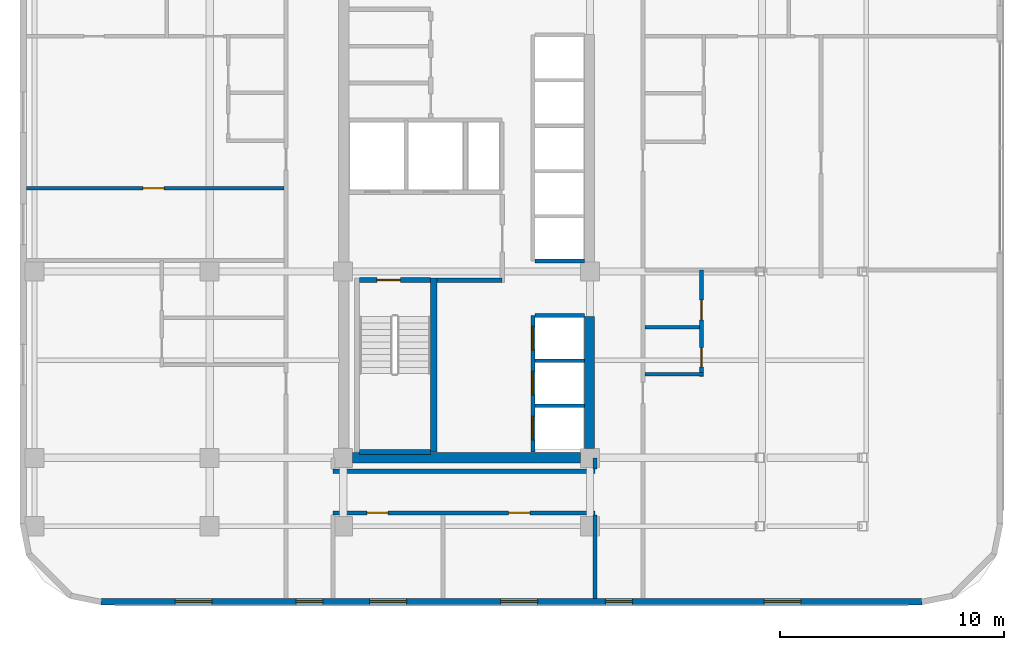
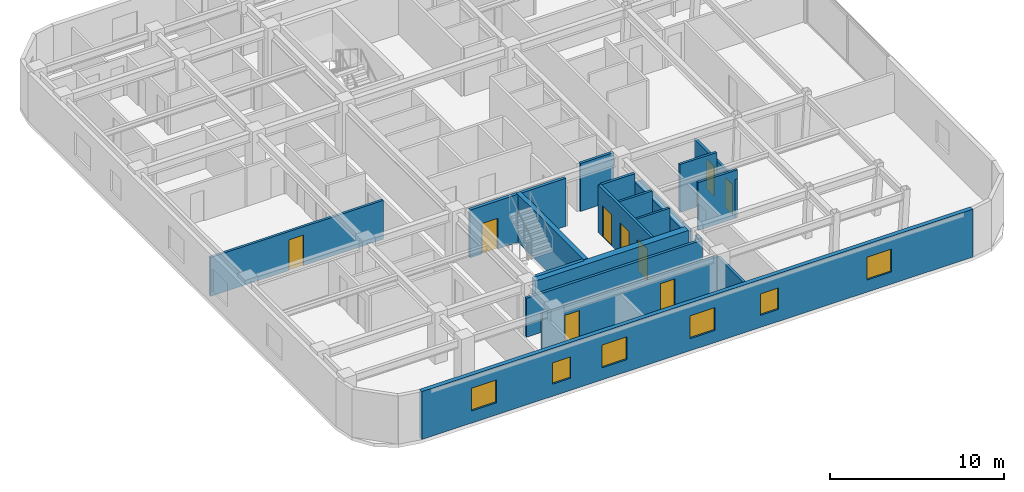
# One storey, part 4 of 12: 20 walls, 9 doors, 6 windows, 15 openings.
"""IFC4 building model written with IfcOpenShell, lengths in metres."""

from ifc_helpers import new_model, si_unit, direction, frame, frame_2d, origin, place, context, subcontext, project, spatial, rectangle, extrude, material, layer, layer_set, type_object, element, fill, save


model = new_model("IFC4")

# Units and contexts
model_context = context("Model", 3, precision=1e-05, world=origin(), true_north=direction((0.0, 1.0)))
body_context = subcontext(model_context, "Body", "Model", "MODEL_VIEW")
ifc_project = project(units=[si_unit("LENGTHUNIT", "METRE"), si_unit("AREAUNIT", "SQUARE_METRE"), si_unit("VOLUMEUNIT", "CUBIC_METRE"), si_unit("PLANEANGLEUNIT", "RADIAN"), si_unit("MASSUNIT", "GRAM", prefix="KILO")], contexts=[model_context])

# Site, building, storey
site_placement = place(None, origin())
site = spatial("IfcSite", under=ifc_project, at=site_placement, CompositionType="ELEMENT")
building_placement = place(site_placement, origin())
building = spatial("IfcBuilding", under=site, at=building_placement, Name="Ochreholt Gables", CompositionType="ELEMENT")
storey_placement = place(building_placement, frame((0.0, 0.0, 80.39990234375)))
storey = spatial("IfcBuildingStorey", under=building, at=storey_placement, Name="L20", CompositionType="ELEMENT", Elevation=80.39990234375)

# Walls
ifc_material_1 = material(Name="Concrete 60 MPa", Category="concrete")
ifc_layer_1 = layer(ifc_material_1, 0.449951171875, Name="Concrete 60 MPa")
ifc_layer_set_1 = layer_set([ifc_layer_1], Name="Concrete 60 MPa")
wall_type_1 = type_object("IfcWallType", Name="WALL-CSW-450", PredefinedType="SHEAR", material=ifc_layer_set_1)
wall_1_placement = place(storey_placement, frame((35.175048828125, 9.675048828125, 0.0), z_axis=(0.0, 0.0, 1.0), x_axis=(0.0, 1.0, 0.0)))
element("IfcWall", 1, at=wall_1_placement, inside=storey, type_object=wall_type_1, Name="L20 Core South-East Shear Wall", PredefinedType="SHEAR", context=body_context, shape_type="SweptSolid", body=[
    extrude(rectangle(XDim=5.875, YDim=0.449951171875, at=frame_2d((2.9375, 0.0))), origin(), (0.0, 0.0, 1.0), 2.7490234375),
])
wall_2_placement = place(storey_placement, frame((24.625, 9.25, 0.0), z_axis=(0.0, 0.0, 1.0), x_axis=(1.0, 0.0, 0.0)))
element("IfcWall", 2, at=wall_2_placement, inside=storey, type_object=wall_type_1, Name="L20 Core South Shear Wall", PredefinedType="SHEAR", context=body_context, shape_type="SweptSolid", body=[
    extrude(rectangle(XDim=10.14990234375, YDim=0.449951171875, at=frame_2d((5.074951171875, 0.0))), origin(), (0.0, 0.0, 1.0), 3.360107421875),
])

# Wall, openings, windows
ifc_material_2 = material(Name="Precast concrete 40 MPa", Category="concrete")
ifc_layer_2 = layer(ifc_material_2, 0.280029296875, Name="Precast concrete 40 MPa")
ifc_layer_set_2 = layer_set([ifc_layer_2], Name="Precast concrete 40 MPa")
wall_type_2 = type_object("IfcWallType", Name="WALL-EXT-280", PredefinedType="SOLIDWALL", material=ifc_layer_set_2)
wall_3_placement = place(storey_placement, frame((13.419921875, 2.840087890625, 0.0), z_axis=(0.0, 0.0, 1.0), x_axis=(1.0, 0.0, 0.0)))
wall_3 = element("IfcWall", 3, at=wall_3_placement, inside=storey, type_object=wall_type_2, Name="L20 South Exterior Wall", PredefinedType="SOLIDWALL", context=body_context, shape_type="SweptSolid", body=[
    extrude(rectangle(XDim=36.56005859375, YDim=0.280029296875, at=frame_2d((18.280029296875, 0.0))), origin(), (0.0, 0.0, 1.0), 3.360107421875),
])
opening_1_placement = place(wall_3_placement, frame((3.2900390625, 0.0, 0.85009765625)))
opening_1 = element("IfcOpeningElement", 4, at=opening_1_placement, cuts=wall_3, Name="Opening WN-7", PredefinedType="OPENING", context=body_context, shape_type="SweptSolid", body=[
    extrude(rectangle(XDim=1.64990234375, YDim=1.60009765625, at=frame_2d((0.824951171875, 0.800048828125))), frame((0.0, 0.14990234375, 0.0), z_axis=(0.0, -1.0, 0.0), x_axis=(1.0, 0.0, 0.0)), (0.0, 0.0, 1.0), 0.300048828125),
])
opening_2_placement = place(wall_3_placement, frame((8.679931640625, 0.0, 0.85009765625)))
opening_2 = element("IfcOpeningElement", 5, at=opening_2_placement, cuts=wall_3, Name="Opening WN-3", PredefinedType="OPENING", context=body_context, shape_type="SweptSolid", body=[
    extrude(rectangle(XDim=1.199951171875, YDim=1.5, at=frame_2d((0.60009765625, 0.75))), frame((0.0, 0.14990234375, 0.0), z_axis=(0.0, -1.0, 0.0), x_axis=(1.0, 0.0, 0.0)), (0.0, 0.0, 1.0), 0.300048828125),
])
opening_3_placement = place(wall_3_placement, frame((11.955810546875, 0.0, 0.85009765625)))
opening_3 = element("IfcOpeningElement", 6, at=opening_3_placement, cuts=wall_3, Name="Opening WN-7", PredefinedType="OPENING", context=body_context, shape_type="SweptSolid", body=[
    extrude(rectangle(XDim=1.64990234375, YDim=1.60009765625, at=frame_2d((0.824951171875, 0.800048828125))), frame((0.0, 0.14990234375, 0.0), z_axis=(0.0, -1.0, 0.0), x_axis=(1.0, 0.0, 0.0)), (0.0, 0.0, 1.0), 0.300048828125),
])
opening_4_placement = place(wall_3_placement, frame((17.790771484375, 0.0, 0.85009765625)))
opening_4 = element("IfcOpeningElement", 7, at=opening_4_placement, cuts=wall_3, Name="Opening WN-7", PredefinedType="OPENING", context=body_context, shape_type="SweptSolid", body=[
    extrude(rectangle(XDim=1.64990234375, YDim=1.60009765625, at=frame_2d((0.824951171875, 0.800048828125))), frame((0.0, 0.14990234375, 0.0), z_axis=(0.0, -1.0, 0.0), x_axis=(1.0, 0.0, 0.0)), (0.0, 0.0, 1.0), 0.300048828125),
])
opening_5_placement = place(wall_3_placement, frame((22.465087890625, 0.0, 0.85009765625)))
opening_5 = element("IfcOpeningElement", 8, at=opening_5_placement, cuts=wall_3, Name="Opening WN-3", PredefinedType="OPENING", context=body_context, shape_type="SweptSolid", body=[
    extrude(rectangle(XDim=1.199951171875, YDim=1.5, at=frame_2d((0.60009765625, 0.75))), frame((0.0, 0.14990234375, 0.0), z_axis=(0.0, -1.0, 0.0), x_axis=(1.0, 0.0, 0.0)), (0.0, 0.0, 1.0), 0.300048828125),
])
opening_6_placement = place(wall_3_placement, frame((29.52001953125, 0.0, 0.85009765625)))
opening_6 = element("IfcOpeningElement", 9, at=opening_6_placement, cuts=wall_3, Name="Opening WN-7", PredefinedType="OPENING", context=body_context, shape_type="SweptSolid", body=[
    extrude(rectangle(XDim=1.64990234375, YDim=1.60009765625, at=frame_2d((0.824951171875, 0.800048828125))), frame((0.0, 0.14990234375, 0.0), z_axis=(0.0, -1.0, 0.0), x_axis=(1.0, 0.0, 0.0)), (0.0, 0.0, 1.0), 0.300048828125),
])
ifc_material_3 = material(Name="Triple-Glazed Thermally Broken Aluminium Window", Category="aluminium")
window_type_1 = type_object("IfcWindowType", Name="WIN-RES-1200", PartitioningType="SINGLE_PANEL", PredefinedType="WINDOW", material=ifc_material_3)
window_1_placement = place(opening_2_placement, origin())
window_1 = element("IfcWindow", 10, at=window_1_placement, inside=storey, type_object=window_type_1, Name="L20 Window W-EXT-S-L20-2", OverallHeight=1.5, OverallWidth=1.199951171875, PartitioningType="SINGLE_PANEL", PredefinedType="WINDOW", context=body_context, shape_type="SweptSolid", body=[
    extrude(rectangle(XDim=1.199951171875, YDim=1.5, at=frame_2d((0.60009765625, 0.75))), frame((0.0, 0.030029296875, 0.0), z_axis=(0.0, -1.0, 0.0), x_axis=(1.0, 0.0, 0.0)), (0.0, 0.0, 1.0), 0.06005859375),
])
fill(opening_2, window_1)
window_2_placement = place(opening_5_placement, origin())
window_2 = element("IfcWindow", 11, at=window_2_placement, inside=storey, type_object=window_type_1, Name="L20 Window W-EXT-S-L20-5", OverallHeight=1.5, OverallWidth=1.199951171875, PartitioningType="SINGLE_PANEL", PredefinedType="WINDOW", context=body_context, shape_type="SweptSolid", body=[
    extrude(rectangle(XDim=1.199951171875, YDim=1.5, at=frame_2d((0.60009765625, 0.75))), frame((0.0, 0.030029296875, 0.0), z_axis=(0.0, -1.0, 0.0), x_axis=(1.0, 0.0, 0.0)), (0.0, 0.0, 1.0), 0.06005859375),
])
fill(opening_5, window_2)
window_type_2 = type_object("IfcWindowType", Name="WIN-RES-1650", PartitioningType="SINGLE_PANEL", PredefinedType="WINDOW", material=ifc_material_3)
window_3_placement = place(opening_1_placement, origin())
window_3 = element("IfcWindow", 12, at=window_3_placement, inside=storey, type_object=window_type_2, Name="L20 Window W-EXT-S-L20-1", OverallHeight=1.60009765625, OverallWidth=1.64990234375, PartitioningType="SINGLE_PANEL", PredefinedType="WINDOW", context=body_context, shape_type="SweptSolid", body=[
    extrude(rectangle(XDim=1.64990234375, YDim=1.60009765625, at=frame_2d((0.824951171875, 0.800048828125))), frame((0.0, 0.030029296875, 0.0), z_axis=(0.0, -1.0, 0.0), x_axis=(1.0, 0.0, 0.0)), (0.0, 0.0, 1.0), 0.06005859375),
])
fill(opening_1, window_3)
window_4_placement = place(opening_3_placement, origin())
window_4 = element("IfcWindow", 13, at=window_4_placement, inside=storey, type_object=window_type_2, Name="L20 Window W-EXT-S-L20-3", OverallHeight=1.60009765625, OverallWidth=1.64990234375, PartitioningType="SINGLE_PANEL", PredefinedType="WINDOW", context=body_context, shape_type="SweptSolid", body=[
    extrude(rectangle(XDim=1.64990234375, YDim=1.60009765625, at=frame_2d((0.824951171875, 0.800048828125))), frame((0.0, 0.030029296875, 0.0), z_axis=(0.0, -1.0, 0.0), x_axis=(1.0, 0.0, 0.0)), (0.0, 0.0, 1.0), 0.06005859375),
])
fill(opening_3, window_4)
window_5_placement = place(opening_4_placement, origin())
window_5 = element("IfcWindow", 14, at=window_5_placement, inside=storey, type_object=window_type_2, Name="L20 Window W-EXT-S-L20-4", OverallHeight=1.60009765625, OverallWidth=1.64990234375, PartitioningType="SINGLE_PANEL", PredefinedType="WINDOW", context=body_context, shape_type="SweptSolid", body=[
    extrude(rectangle(XDim=1.64990234375, YDim=1.60009765625, at=frame_2d((0.824951171875, 0.800048828125))), frame((0.0, 0.030029296875, 0.0), z_axis=(0.0, -1.0, 0.0), x_axis=(1.0, 0.0, 0.0)), (0.0, 0.0, 1.0), 0.06005859375),
])
fill(opening_4, window_5)
window_6_placement = place(opening_6_placement, origin())
window_6 = element("IfcWindow", 15, at=window_6_placement, inside=storey, type_object=window_type_2, Name="L20 Window W-EXT-S-L20-6", OverallHeight=1.60009765625, OverallWidth=1.64990234375, PartitioningType="SINGLE_PANEL", PredefinedType="WINDOW", context=body_context, shape_type="SweptSolid", body=[
    extrude(rectangle(XDim=1.64990234375, YDim=1.60009765625, at=frame_2d((0.824951171875, 0.800048828125))), frame((0.0, 0.030029296875, 0.0), z_axis=(0.0, -1.0, 0.0), x_axis=(1.0, 0.0, 0.0)), (0.0, 0.0, 1.0), 0.06005859375),
])
fill(opening_6, window_6)

# Wall
ifc_material_4 = material(Name="Concrete 40 MPa", Category="concrete")
ifc_layer_3 = layer(ifc_material_4, 0.199951171875, Name="Concrete 40 MPa")
ifc_layer_set_3 = layer_set([ifc_layer_3], Name="Concrete 40 MPa")
wall_type_3 = type_object("IfcWallType", Name="WALL-INT-CF200", PredefinedType="STANDARD", material=ifc_layer_set_3)
wall_4_placement = place(storey_placement, frame((28.3798828125, 17.169921875, 0.0), z_axis=(0.0, 0.0, 1.0), x_axis=(1.0, 0.0, 0.0)))
element("IfcWall", 16, at=wall_4_placement, inside=storey, type_object=wall_type_3, Name="L20 Interior Wall WI-FFS-L20", PredefinedType="STANDARD", context=body_context, shape_type="SweptSolid", body=[
    extrude(rectangle(XDim=2.900146484375, YDim=0.199951171875, at=frame_2d((1.4501953125, 0.0))), origin(), (0.0, 0.0, 1.0), 3.360107421875),
])

# Wall, openings, doors
ifc_material_5 = material(Name="Fire-Rated Gypsum Acoustic Partition", Category="gypsum")
ifc_layer_4 = layer(ifc_material_5, 0.179931640625, Name="Fire-Rated Gypsum Acoustic Partition")
ifc_layer_set_4 = layer_set([ifc_layer_4], Name="Fire-Rated Gypsum Acoustic Partition")
wall_type_4 = type_object("IfcWallType", Name="WALL-INT-CR180", PredefinedType="STANDARD", material=ifc_layer_set_4)
wall_5_placement = place(storey_placement, frame((23.75, 6.800048828125, 0.0), z_axis=(0.0, 0.0, 1.0), x_axis=(1.0, 0.0, 0.0)))
wall_5 = element("IfcWall", 17, at=wall_5_placement, inside=storey, type_object=wall_type_4, Name="L20 Interior Wall WI-C1S-L20", PredefinedType="STANDARD", context=body_context, shape_type="SweptSolid", body=[
    extrude(rectangle(XDim=11.669921875, YDim=0.179931640625, at=frame_2d((5.8349609375, 0.0))), origin(), (0.0, 0.0, 1.0), 2.731201171875),
])
opening_7_placement = place(wall_5_placement, frame((1.5, 0.0, 0.0)))
opening_7 = element("IfcOpeningElement", 18, at=opening_7_placement, cuts=wall_5, Name="Opening D-GN1", PredefinedType="OPENING", context=body_context, shape_type="SweptSolid", body=[
    extrude(rectangle(XDim=0.949951171875, YDim=2.14990234375, at=frame_2d((0.47509765625, 1.074951171875))), frame((0.0, 0.099853515625, 0.0), z_axis=(0.0, -1.0, 0.0), x_axis=(1.0, 0.0, 0.0)), (0.0, 0.0, 1.0), 0.199951171875),
])
opening_8_placement = place(wall_5_placement, frame((7.82568359375, 0.0, 0.0)))
opening_8 = element("IfcOpeningElement", 19, at=opening_8_placement, cuts=wall_5, Name="Opening D-UN2", PredefinedType="OPENING", context=body_context, shape_type="SweptSolid", body=[
    extrude(rectangle(XDim=0.93994140625, YDim=2.14990234375, at=frame_2d((0.469970703125, 1.074951171875))), frame((0.0, 0.099853515625, 0.0), z_axis=(0.0, -1.0, 0.0), x_axis=(1.0, 0.0, 0.0)), (0.0, 0.0, 1.0), 0.199951171875),
])
ifc_material_6 = material(Name="Engineered Oak Timber", Category="wood")
door_type_1 = type_object("IfcDoorType", Name="DR-INT-GEN950", OperationType="NOTDEFINED", PredefinedType="DOOR", material=ifc_material_6)
door_1_placement = place(opening_7_placement, origin())
door_1 = element("IfcDoor", 20, at=door_1_placement, inside=storey, type_object=door_type_1, Name="L20 Door D-C1SS-L20", OperationType="SINGLE_SWING_LEFT", OverallHeight=2.14990234375, OverallWidth=0.949951171875, PredefinedType="DOOR", context=body_context, shape_type="SweptSolid", body=[
    extrude(rectangle(XDim=0.949951171875, YDim=2.14990234375, at=frame_2d((0.47509765625, 1.074951171875))), frame((0.0, 0.02490234375, 0.0), z_axis=(0.0, -1.0, 0.0), x_axis=(1.0, 0.0, 0.0)), (0.0, 0.0, 1.0), 0.050048828125),
])
fill(opening_7, door_1)
door_type_2 = type_object("IfcDoorType", Name="DR-INT-UNT940", OperationType="NOTDEFINED", PredefinedType="DOOR", material=ifc_material_6)
door_2_placement = place(opening_8_placement, origin())
door_2 = element("IfcDoor", 21, at=door_2_placement, inside=storey, type_object=door_type_2, Name="L20 Door D-U-L20S1-ENT", OperationType="SINGLE_SWING_LEFT", OverallHeight=2.14990234375, OverallWidth=0.93994140625, PredefinedType="DOOR", context=body_context, shape_type="SweptSolid", body=[
    extrude(rectangle(XDim=0.93994140625, YDim=2.14990234375, at=frame_2d((0.469970703125, 1.074951171875))), frame((0.0, 0.02490234375, 0.0), z_axis=(0.0, -1.0, 0.0), x_axis=(1.0, 0.0, 0.0)), (0.0, 0.0, 1.0), 0.050048828125),
])
fill(opening_8, door_2)

# Walls
wall_6_placement = place(storey_placement, frame((23.75, 8.64990234375, 0.0), z_axis=(0.0, 0.0, 1.0), x_axis=(1.0, 0.0, 0.0)))
element("IfcWall", 22, at=wall_6_placement, inside=storey, type_object=wall_type_4, Name="L20 Interior Wall WI-C1S2-L20", PredefinedType="STANDARD", context=body_context, shape_type="SweptSolid", body=[
    extrude(rectangle(XDim=11.669921875, YDim=0.179931640625, at=frame_2d((5.8349609375, 0.0))), origin(), (0.0, 0.0, 1.0), 2.731201171875),
])
wall_7_placement = place(storey_placement, frame((35.419921875, 8.739990234375, 0.0), z_axis=(0.0, 0.0, 1.0), x_axis=(0.0, 1.0, 0.0)))
element("IfcWall", 23, at=wall_7_placement, inside=storey, type_object=wall_type_4, Name="L20 Interior Wall WI-C1ESW2-L20", PredefinedType="STANDARD", context=body_context, shape_type="SweptSolid", body=[
    extrude(rectangle(XDim=0.510009765625, YDim=0.179931640625, at=frame_2d((0.2548828125, 0.0))), origin(), (0.0, 0.0, 1.0), 2.731201171875),
])
ifc_material_7 = material(Name="Double-Stud Acoustic Demising Wall", Category="gypsum")
ifc_layer_5 = layer(ifc_material_7, 0.179931640625, Name="Double-Stud Acoustic Demising Wall")
ifc_layer_set_5 = layer_set([ifc_layer_5], Name="Double-Stud Acoustic Demising Wall")
wall_type_5 = type_object("IfcWallType", Name="WALL-INT-DM180", PredefinedType="PARTITIONING", material=ifc_layer_set_5)
wall_8_placement = place(storey_placement, frame((35.419921875, 2.97998046875, 0.0), z_axis=(0.0, 0.0, 1.0), x_axis=(0.0, 1.0, 0.0)))
element("IfcWall", 24, at=wall_8_placement, inside=storey, type_object=wall_type_5, Name="L20 Interior Wall WI-C1ESW-L20", PredefinedType="PARTITIONING", context=body_context, shape_type="SweptSolid", body=[
    extrude(rectangle(XDim=3.72998046875, YDim=0.179931640625, at=frame_2d((1.864990234375, 0.0))), origin(), (0.0, 0.0, 1.0), 2.731201171875),
])
ifc_material_8 = material(Name="Moisture-Resistant Plumbing Chase Wall", Category="gypsum")
ifc_layer_6 = layer(ifc_material_8, 0.159912109375, Name="Moisture-Resistant Plumbing Chase Wall")
ifc_layer_set_6 = layer_set([ifc_layer_6], Name="Moisture-Resistant Plumbing Chase Wall")
wall_type_6 = type_object("IfcWallType", Name="WALL-INT-PL160", PredefinedType="PLUMBINGWALL", material=ifc_layer_set_6)
wall_9_placement = place(storey_placement, frame((37.639892578125, 12.969970703125, 0.0), z_axis=(0.0, 0.0, 1.0), x_axis=(1.0, 0.0, 0.0)))
element("IfcWall", 25, at=wall_9_placement, inside=storey, type_object=wall_type_6, Name="L20 Interior Wall WU-L20E1-WYS", PredefinedType="PLUMBINGWALL", context=body_context, shape_type="SweptSolid", body=[
    extrude(rectangle(XDim=2.606201171875, YDim=0.159912109375, at=frame_2d((1.30322265625, 0.0))), origin(), (0.0, 0.0, 1.0), 3.360107421875),
])

# Wall, openings, doors
wall_10_placement = place(storey_placement, frame((40.166015625, 12.8798828125, 0.0), z_axis=(0.0, 0.0, 1.0), x_axis=(0.0, 1.0, 0.0)))
wall_10 = element("IfcWall", 26, at=wall_10_placement, inside=storey, type_object=wall_type_6, Name="L20 Interior Wall WU-L20E1-WX", PredefinedType="PLUMBINGWALL", context=body_context, shape_type="SweptSolid", body=[
    extrude(rectangle(XDim=4.730224609375, YDim=0.159912109375, at=frame_2d((2.365234375, 0.0))), origin(), (0.0, 0.0, 1.0), 2.731201171875),
])
opening_9_placement = place(wall_10_placement, frame((0.419921875, 0.0, 0.0)))
opening_9 = element("IfcOpeningElement", 27, at=opening_9_placement, cuts=wall_10, Name="Opening D-BT1", PredefinedType="OPENING", context=body_context, shape_type="SweptSolid", body=[
    extrude(rectangle(XDim=0.860107421875, YDim=2.1201171875, at=frame_2d((0.43017578125, 1.06005859375))), frame((0.0, 0.08984375, 0.0), z_axis=(0.0, -1.0, 0.0), x_axis=(1.0, 0.0, 0.0)), (0.0, 0.0, 1.0), 0.179931640625),
])
opening_10_placement = place(wall_10_placement, frame((2.512939453125, 0.0, 0.0)))
opening_10 = element("IfcOpeningElement", 28, at=opening_10_placement, cuts=wall_10, Name="Opening D-GN2", PredefinedType="OPENING", context=body_context, shape_type="SweptSolid", body=[
    extrude(rectangle(XDim=0.8798828125, YDim=2.1201171875, at=frame_2d((0.43994140625, 1.06005859375))), frame((0.0, 0.08984375, 0.0), z_axis=(0.0, -1.0, 0.0), x_axis=(1.0, 0.0, 0.0)), (0.0, 0.0, 1.0), 0.179931640625),
])
door_type_3 = type_object("IfcDoorType", Name="DR-INT-BTH860", OperationType="NOTDEFINED", PredefinedType="DOOR", material=ifc_material_6)
door_3_placement = place(opening_9_placement, origin())
door_3 = element("IfcDoor", 29, at=door_3_placement, inside=storey, type_object=door_type_3, Name="L20 Door D-U-L20E1-BTH", OperationType="SINGLE_SWING_LEFT", OverallHeight=2.1201171875, OverallWidth=0.860107421875, PredefinedType="DOOR", context=body_context, shape_type="SweptSolid", body=[
    extrude(rectangle(XDim=0.860107421875, YDim=2.1201171875, at=frame_2d((0.43017578125, 1.06005859375))), frame((0.0, 0.02490234375, 0.0), z_axis=(0.0, -1.0, 0.0), x_axis=(1.0, 0.0, 0.0)), (0.0, 0.0, 1.0), 0.050048828125),
])
fill(opening_9, door_3)
door_type_4 = type_object("IfcDoorType", Name="DR-INT-GEN880", OperationType="NOTDEFINED", PredefinedType="DOOR", material=ifc_material_6)
door_4_placement = place(opening_10_placement, origin())
door_4 = element("IfcDoor", 30, at=door_4_placement, inside=storey, type_object=door_type_4, Name="L20 Door D-U-L20E1-KIT", OperationType="SINGLE_SWING_RIGHT", OverallHeight=2.1201171875, OverallWidth=0.8798828125, PredefinedType="DOOR", context=body_context, shape_type="SweptSolid", body=[
    extrude(rectangle(XDim=0.8798828125, YDim=2.1201171875, at=frame_2d((0.43994140625, 1.06005859375))), frame((0.0, 0.02490234375, 0.0), z_axis=(0.0, -1.0, 0.0), x_axis=(1.0, 0.0, 0.0)), (0.0, 0.0, 1.0), 0.050048828125),
])
fill(opening_10, door_4)

# Wall
wall_11_placement = place(storey_placement, frame((37.639892578125, 15.06298828125, 0.0), z_axis=(0.0, 0.0, 1.0), x_axis=(1.0, 0.0, 0.0)))
element("IfcWall", 31, at=wall_11_placement, inside=storey, type_object=wall_type_6, Name="L20 Interior Wall WU-L20E1-WM", PredefinedType="PLUMBINGWALL", context=body_context, shape_type="SweptSolid", body=[
    extrude(rectangle(XDim=2.446044921875, YDim=0.159912109375, at=frame_2d((1.22314453125, 0.0))), origin(), (0.0, 0.0, 1.0), 3.360107421875),
])

# Wall, opening, door
ifc_material_9 = material(Name="Gypsum Acoustic Stud Partition", Category="gypsum")
ifc_layer_7 = layer(ifc_material_9, 0.159912109375, Name="Gypsum Acoustic Stud Partition")
ifc_layer_set_7 = layer_set([ifc_layer_7], Name="Gypsum Acoustic Stud Partition")
wall_type_7 = type_object("IfcWallType", Name="WALL-INT-PT160", PredefinedType="PARTITIONING", material=ifc_layer_set_7)
wall_12_placement = place(storey_placement, frame((10.080078125, 21.261962890625, 0.0), z_axis=(0.0, 0.0, 1.0), x_axis=(1.0, 0.0, 0.0)))
wall_12 = element("IfcWall", 32, at=wall_12_placement, inside=storey, type_object=wall_type_7, Name="L20 Interior Wall WU-L20W2-DNW", PredefinedType="PARTITIONING", context=body_context, shape_type="SweptSolid", body=[
    extrude(rectangle(XDim=11.47998046875, YDim=0.159912109375, at=frame_2d((5.739990234375, 0.0))), origin(), (0.0, 0.0, 1.0), 2.731201171875),
])
opening_11_placement = place(wall_12_placement, frame((5.195068359375, 0.0, 0.0)))
opening_11 = element("IfcOpeningElement", 33, at=opening_11_placement, cuts=wall_12, Name="Opening D-GN1", PredefinedType="OPENING", context=body_context, shape_type="SweptSolid", body=[
    extrude(rectangle(XDim=0.949951171875, YDim=2.14990234375, at=frame_2d((0.47509765625, 1.074951171875))), frame((0.0, 0.08984375, 0.0), z_axis=(0.0, -1.0, 0.0), x_axis=(1.0, 0.0, 0.0)), (0.0, 0.0, 1.0), 0.179931640625),
])
door_5_placement = place(opening_11_placement, origin())
door_5 = element("IfcDoor", 34, at=door_5_placement, inside=storey, type_object=door_type_1, Name="L20 Door D-U-L20W2-DIN", OperationType="SINGLE_SWING_LEFT", OverallHeight=2.14990234375, OverallWidth=0.949951171875, PredefinedType="DOOR", context=body_context, shape_type="SweptSolid", body=[
    extrude(rectangle(XDim=0.949951171875, YDim=2.14990234375, at=frame_2d((0.47509765625, 1.074951171875))), frame((0.0, 0.02490234375, 0.0), z_axis=(0.0, -1.0, 0.0), x_axis=(1.0, 0.0, 0.0)), (0.0, 0.0, 1.0), 0.050048828125),
])
fill(opening_11, door_5)

# Walls
ifc_material_10 = material(Name="Gypsum Shaftliner and Steel Stud", Category="steel")
ifc_layer_8 = layer(ifc_material_10, 0.14990234375, Name="Gypsum Shaftliner and Steel Stud")
ifc_layer_set_8 = layer_set([ifc_layer_8], Name="Gypsum Shaftliner and Steel Stud")
wall_type_8 = type_object("IfcWallType", Name="WALL-INT-SH150", PredefinedType="STANDARD", material=ifc_layer_set_8)
for number, where, z_axis, x_axis, name in (
    (35, (32.739990234375, 11.570068359375, 0.0), (0.0, 0.0, 1.0), (1.0, 0.0, 0.0), "L20 Interior Wall WI-LFL-D1-L20"),
    (36, (32.739990234375, 13.570068359375, 0.0), (0.0, 0.0, 1.0), (1.0, 0.0, 0.0), "L20 Interior Wall WI-LFL-D2-L20"),
):
    element("IfcWall", number, at=place(storey_placement, frame(where, z_axis=z_axis, x_axis=x_axis)), inside=storey, type_object=wall_type_8, Name=name, PredefinedType="STANDARD", context=body_context, shape_type="SweptSolid", body=[
        extrude(rectangle(XDim=2.2099609375, YDim=0.14990234375, at=frame_2d((1.10498046875, 0.0))), origin(), (0.0, 0.0, 1.0), 3.360107421875),
    ])

# Wall, openings, doors
ifc_layer_9 = layer(ifc_material_10, 0.179931640625, Name="Gypsum Shaftliner and Steel Stud")
ifc_layer_set_9 = layer_set([ifc_layer_9], Name="Gypsum Shaftliner and Steel Stud")
wall_type_9 = type_object("IfcWallType", Name="WALL-INT-SH180", PredefinedType="STANDARD", material=ifc_layer_set_9)
wall_13_placement = place(storey_placement, frame((32.64990234375, 9.5, 0.0), z_axis=(0.0, 0.0, 1.0), x_axis=(0.0, 1.0, 0.0)))
wall_13 = element("IfcWall", 37, at=wall_13_placement, inside=storey, type_object=wall_type_9, Name="L20 Interior Wall WI-LFL-FR-L20", PredefinedType="STANDARD", context=body_context, shape_type="SweptSolid", body=[
    extrude(rectangle(XDim=6.080078125, YDim=0.179931640625, at=frame_2d((3.0400390625, 0.0))), origin(), (0.0, 0.0, 1.0), 3.360107421875),
])
opening_12_placement = place(wall_13_placement, frame((0.550048828125, 0.0, 0.0)))
opening_12 = element("IfcOpeningElement", 38, at=opening_12_placement, cuts=wall_13, Name="Opening LD-PX", PredefinedType="OPENING", context=body_context, shape_type="SweptSolid", body=[
    extrude(rectangle(XDim=1.050048828125, YDim=2.199951171875, at=frame_2d((0.52490234375, 1.10009765625))), frame((0.0, 0.099853515625, 0.0), z_axis=(0.0, -1.0, 0.0), x_axis=(1.0, 0.0, 0.0)), (0.0, 0.0, 1.0), 0.199951171875),
])
opening_13_placement = place(wall_13_placement, frame((2.550048828125, 0.0, 0.0)))
opening_13 = element("IfcOpeningElement", 39, at=opening_13_placement, cuts=wall_13, Name="Opening LD-PX", PredefinedType="OPENING", context=body_context, shape_type="SweptSolid", body=[
    extrude(rectangle(XDim=1.050048828125, YDim=2.199951171875, at=frame_2d((0.52490234375, 1.10009765625))), frame((0.0, 0.099853515625, 0.0), z_axis=(0.0, -1.0, 0.0), x_axis=(1.0, 0.0, 0.0)), (0.0, 0.0, 1.0), 0.199951171875),
])
opening_14_placement = place(wall_13_placement, frame((4.550048828125, 0.0, 0.0)))
opening_14 = element("IfcOpeningElement", 40, at=opening_14_placement, cuts=wall_13, Name="Opening LD-PX", PredefinedType="OPENING", context=body_context, shape_type="SweptSolid", body=[
    extrude(rectangle(XDim=1.050048828125, YDim=2.199951171875, at=frame_2d((0.52490234375, 1.10009765625))), frame((0.0, 0.099853515625, 0.0), z_axis=(0.0, -1.0, 0.0), x_axis=(1.0, 0.0, 0.0)), (0.0, 0.0, 1.0), 0.199951171875),
])
ifc_material_11 = material(Name="Stainless Steel", Category="steel")
door_type_5 = type_object("IfcDoorType", Name="DR-LFT-PX1050", OperationType="NOTDEFINED", PredefinedType="DOOR", material=ifc_material_11)
door_6_placement = place(opening_12_placement, origin())
door_6 = element("IfcDoor", 41, at=door_6_placement, inside=storey, type_object=door_type_5, Name="L20 Door LD-L1-L20", OperationType="SLIDING_TO_LEFT", OverallHeight=2.199951171875, OverallWidth=1.050048828125, PredefinedType="DOOR", context=body_context, shape_type="SweptSolid", body=[
    extrude(rectangle(XDim=1.050048828125, YDim=2.199951171875, at=frame_2d((0.52490234375, 1.10009765625))), frame((0.0, 0.02490234375, 0.0), z_axis=(0.0, -1.0, 0.0), x_axis=(1.0, 0.0, 0.0)), (0.0, 0.0, 1.0), 0.050048828125),
])
fill(opening_12, door_6)
door_7_placement = place(opening_13_placement, origin())
door_7 = element("IfcDoor", 42, at=door_7_placement, inside=storey, type_object=door_type_5, Name="L20 Door LD-L2-L20", OperationType="SLIDING_TO_LEFT", OverallHeight=2.199951171875, OverallWidth=1.050048828125, PredefinedType="DOOR", context=body_context, shape_type="SweptSolid", body=[
    extrude(rectangle(XDim=1.050048828125, YDim=2.199951171875, at=frame_2d((0.52490234375, 1.10009765625))), frame((0.0, 0.02490234375, 0.0), z_axis=(0.0, -1.0, 0.0), x_axis=(1.0, 0.0, 0.0)), (0.0, 0.0, 1.0), 0.050048828125),
])
fill(opening_13, door_7)
door_8_placement = place(opening_14_placement, origin())
door_8 = element("IfcDoor", 43, at=door_8_placement, inside=storey, type_object=door_type_5, Name="L20 Door LD-L3-L20", OperationType="SLIDING_TO_LEFT", OverallHeight=2.199951171875, OverallWidth=1.050048828125, PredefinedType="DOOR", context=body_context, shape_type="SweptSolid", body=[
    extrude(rectangle(XDim=1.050048828125, YDim=2.199951171875, at=frame_2d((0.52490234375, 1.10009765625))), frame((0.0, 0.02490234375, 0.0), z_axis=(0.0, -1.0, 0.0), x_axis=(1.0, 0.0, 0.0)), (0.0, 0.0, 1.0), 0.050048828125),
])
fill(opening_14, door_8)

# Walls
for number, where, z_axis, x_axis, name in (
    (44, (32.739990234375, 15.580078125, 0.0), (0.0, 0.0, 1.0), (1.0, 0.0, 0.0), "L20 Interior Wall WI-LFL-N-L20"),
    (45, (32.739990234375, 18.02001953125, 0.0), (0.0, 0.0, 1.0), (1.0, 0.0, 0.0), "L20 Interior Wall WI-LFHE-S-L20"),
):
    element("IfcWall", number, at=place(storey_placement, frame(where, z_axis=z_axis, x_axis=x_axis)), inside=storey, type_object=wall_type_9, Name=name, PredefinedType="STANDARD", context=body_context, shape_type="SweptSolid", body=[
        extrude(rectangle(XDim=2.2099609375, YDim=0.179931640625, at=frame_2d((1.10498046875, 0.0))), origin(), (0.0, 0.0, 1.0), 3.360107421875),
    ])
ifc_layer_10 = layer(ifc_material_1, 0.300048828125, Name="Concrete 60 MPa")
ifc_layer_set_10 = layer_set([ifc_layer_10], Name="Concrete 60 MPa")
wall_type_10 = type_object("IfcWallType", Name="WALL-SPN-300", PredefinedType="SHEAR", material=ifc_layer_set_10)
wall_14_placement = place(storey_placement, frame((28.22998046875, 9.5, 0.0), z_axis=(0.0, 0.0, 1.0), x_axis=(0.0, 1.0, 0.0)))
element("IfcWall", 46, at=wall_14_placement, inside=storey, type_object=wall_type_10, Name="L20 Core South Spine Shear Wall", PredefinedType="SHEAR", context=body_context, shape_type="SweptSolid", body=[
    extrude(rectangle(XDim=7.760009765625, YDim=0.300048828125, at=frame_2d((3.8798828125, 0.0))), origin(), (0.0, 0.0, 1.0), 3.360107421875),
])
ifc_material_12 = material(Name="Concrete 50 MPa", Category="concrete")
ifc_layer_11 = layer(ifc_material_12, 0.219970703125, Name="Concrete 50 MPa")
ifc_layer_set_11 = layer_set([ifc_layer_11], Name="Concrete 50 MPa")
wall_type_11 = type_object("IfcWallType", Name="WALL-STW-220", PredefinedType="SHEAR", material=ifc_layer_set_11)
wall_15_placement = place(storey_placement, frame((24.919921875, 9.510009765625, 0.0), z_axis=(0.0, 0.0, 1.0), x_axis=(1.0, 0.0, 0.0)))
element("IfcWall", 47, at=wall_15_placement, inside=storey, type_object=wall_type_11, Name="L20 Exit Stair 1 South Wall", PredefinedType="SHEAR", context=body_context, shape_type="SweptSolid", body=[
    extrude(rectangle(XDim=3.16015625, YDim=0.219970703125, at=frame_2d((1.580078125, 0.0))), origin(), (0.0, 0.0, 1.0), 3.360107421875),
])

# Wall, opening, door
wall_16_placement = place(storey_placement, frame((24.919921875, 17.169921875, 0.0), z_axis=(0.0, 0.0, 1.0), x_axis=(1.0, 0.0, 0.0)))
wall_16 = element("IfcWall", 48, at=wall_16_placement, inside=storey, type_object=wall_type_11, Name="L20 Exit Stair 1 North Wall", PredefinedType="SHEAR", context=body_context, shape_type="SweptSolid", body=[
    extrude(rectangle(XDim=3.16015625, YDim=0.219970703125, at=frame_2d((1.580078125, 0.0))), origin(), (0.0, 0.0, 1.0), 3.360107421875),
])
opening_15_placement = place(wall_16_placement, frame((0.780029296875, 0.0, 0.0)))
opening_15 = element("IfcOpeningElement", 49, at=opening_15_placement, cuts=wall_16, Name="Opening D-STC", PredefinedType="OPENING", context=body_context, shape_type="SweptSolid", body=[
    extrude(rectangle(XDim=1.050048828125, YDim=2.14990234375, at=frame_2d((0.52490234375, 1.074951171875))), frame((0.0, 0.119873046875, 0.0), z_axis=(0.0, -1.0, 0.0), x_axis=(1.0, 0.0, 0.0)), (0.0, 0.0, 1.0), 0.239990234375),
])
ifc_material_13 = material(Name="Hollow Metal Steel", Category="steel")
door_type_6 = type_object("IfcDoorType", Name="DR-INT-ST1050", OperationType="NOTDEFINED", PredefinedType="DOOR", material=ifc_material_13)
door_9_placement = place(opening_15_placement, frame((1.050048828125, 0.0, 0.0), z_axis=(0.0, 0.0, 1.0), x_axis=(-1.0, 0.0, 0.0)))
door_9 = element("IfcDoor", 50, at=door_9_placement, inside=storey, type_object=door_type_6, Name="L20 Door D-ST1-L20", OperationType="SINGLE_SWING_LEFT", OverallHeight=2.14990234375, OverallWidth=1.050048828125, PredefinedType="DOOR", context=body_context, shape_type="SweptSolid", body=[
    extrude(rectangle(XDim=1.050048828125, YDim=2.14990234375, at=frame_2d((0.52490234375, 1.074951171875))), frame((0.0, 0.02490234375, 0.0), z_axis=(0.0, -1.0, 0.0), x_axis=(1.0, 0.0, 0.0)), (0.0, 0.0, 1.0), 0.050048828125),
])
fill(opening_15, door_9)

save(model, "model.ifc")
